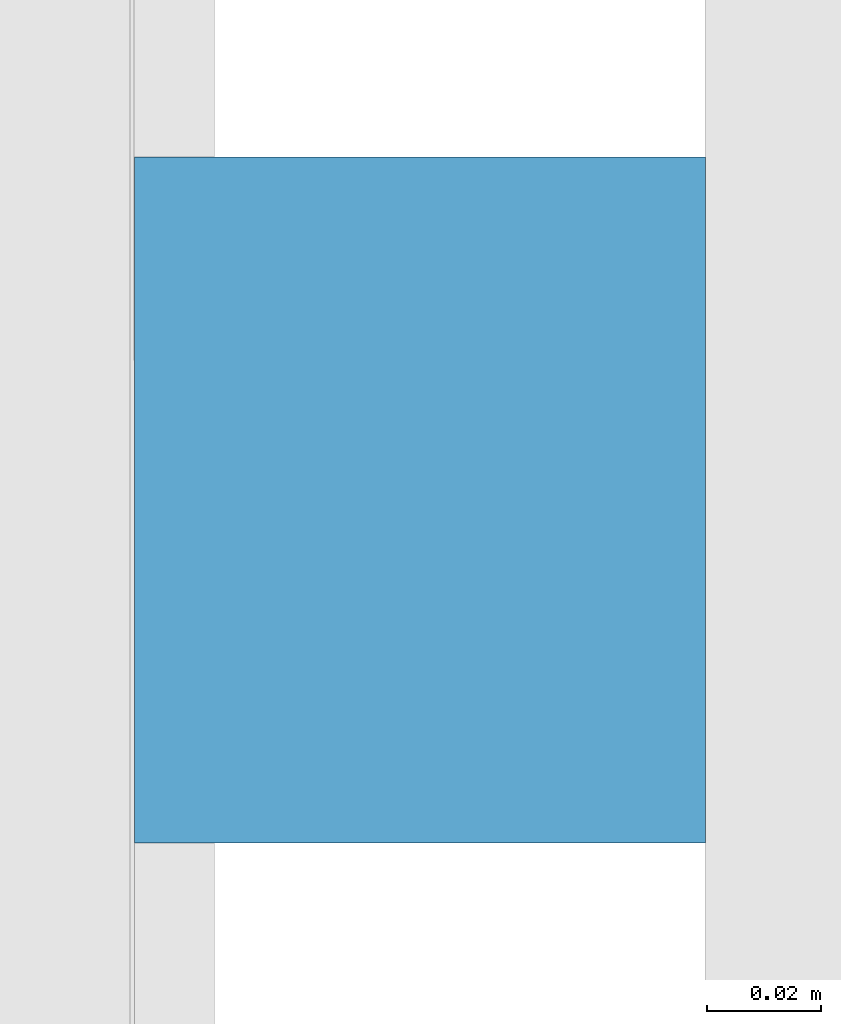
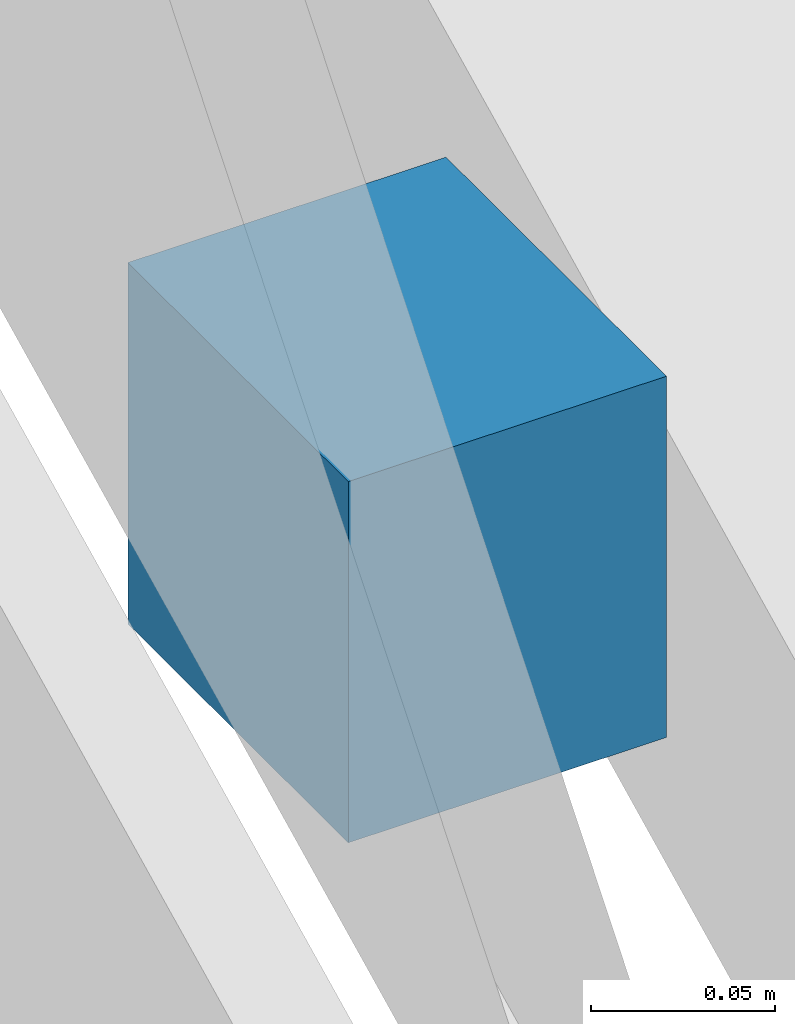
# One storey, part 21 of 22: 1 discrete accessory.
"""IFC4 building model written with IfcOpenShell, lengths in metres."""

from ifc_helpers import new_model, si_unit, direction, frame, origin, origin_2d, place, context, subcontext, project, spatial, rectangle, extrude, material, type_object, element, save


model = new_model("IFC4")

# Units and contexts
model_context = context("Model", 3, precision=1e-05, world=origin(), true_north=direction((0.0, 1.0)))
body_context = subcontext(model_context, "Body", "Model", "MODEL_VIEW")
ifc_project = project(units=[si_unit("LENGTHUNIT", "METRE"), si_unit("AREAUNIT", "SQUARE_METRE"), si_unit("VOLUMEUNIT", "CUBIC_METRE"), si_unit("PLANEANGLEUNIT", "RADIAN"), si_unit("MASSUNIT", "GRAM", prefix="KILO")], contexts=[model_context])

# Site, building, storey
site_placement = place(None, origin())
site = spatial("IfcSite", under=ifc_project, at=site_placement, CompositionType="ELEMENT")
building_placement = place(site_placement, origin())
building = spatial("IfcBuilding", under=site, at=building_placement, Name="Crosswind Convention Tower", CompositionType="ELEMENT")
storey_placement = place(building_placement, frame((0.0, 0.0, 116.89990234375)))
storey = spatial("IfcBuildingStorey", under=building, at=storey_placement, Name="L23", CompositionType="ELEMENT", Elevation=116.89990234375)

# Discrete accessory
ifc_material = material(Name="Stainless steel", Category="steel")
discrete_accessory_type = type_object("IfcDiscreteAccessoryType", Name="BAGUETTE BRACKET BK3", PredefinedType="BRACKET", material=ifc_material)
discrete_accessory_placement = place(storey_placement, frame((161.72607421875, 91.767578125, 1.705078125), z_axis=(0.0, 0.0, 1.0), x_axis=(0.0, 1.0, 0.0)))
element("IfcDiscreteAccessory", 1, at=discrete_accessory_placement, inside=storey, type_object=discrete_accessory_type, Name="BK3 baguette bracket", PredefinedType="BRACKET", context=body_context, shape_type="SweptSolid", body=[
    extrude(rectangle(XDim=0.1201171875, YDim=0.10009765625, at=origin_2d()), origin(), (0.0, 0.0, 1.0), 0.1201171875),
])

save(model, "model.ifc")
